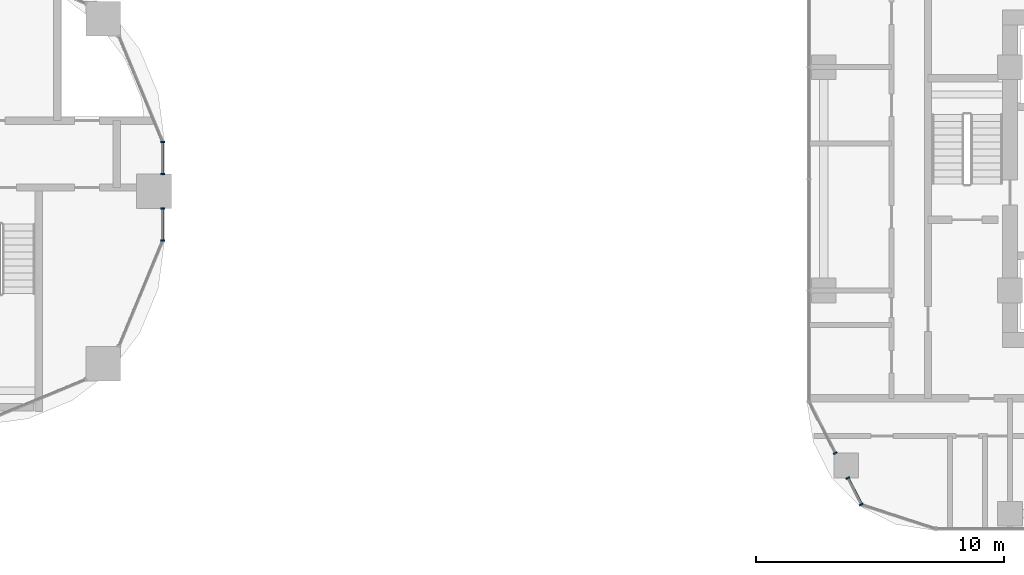
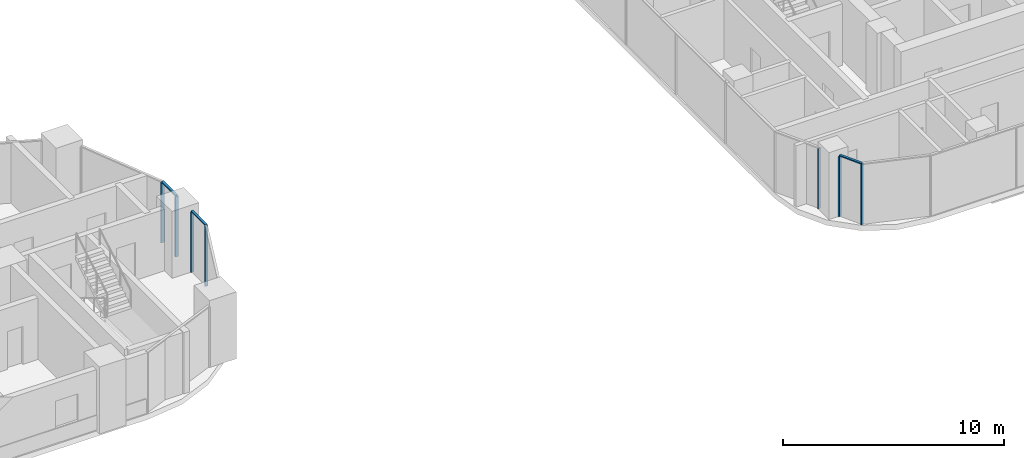
# One storey, part 7 of 31: 10 members, 4 elements without a shape of their own.
"""IFC4 building model written with IfcOpenShell, lengths in metres."""

from ifc_helpers import new_model, si_unit, direction, frame, origin, origin_2d, place, context, subcontext, project, spatial, rectangle, extrude, material, material_profile, profile_set, type_object, element, aggregate, save


model = new_model("IFC4")

# Units and contexts
model_context = context("Model", 3, precision=1e-05, world=origin(), true_north=direction((0.0, 1.0)))
body_context = subcontext(model_context, "Body", "Model", "MODEL_VIEW")
ifc_project = project(units=[si_unit("LENGTHUNIT", "METRE"), si_unit("AREAUNIT", "SQUARE_METRE"), si_unit("VOLUMEUNIT", "CUBIC_METRE"), si_unit("PLANEANGLEUNIT", "RADIAN"), si_unit("MASSUNIT", "GRAM", prefix="KILO")], contexts=[model_context])

# Site, building, storey
site_placement = place(None, origin())
site = spatial("IfcSite", under=ifc_project, at=site_placement, CompositionType="ELEMENT")
building_placement = place(site_placement, origin())
building = spatial("IfcBuilding", under=site, at=building_placement, Name="Ogive Portal Towers", CompositionType="ELEMENT")
storey_placement = place(building_placement, frame((0.0, 0.0, 40.89990234375)))
storey = spatial("IfcBuildingStorey", under=building, at=storey_placement, Name="L08", CompositionType="ELEMENT", Elevation=40.89990234375)

# Curtain wall, members
ifc_material_1 = material(Name="Glass, clear low-iron insulated glazing", Category="glass")
curtain_wall_type_1 = type_object("IfcCurtainWallType", Name="CW FRONT RIBBON 4500", PredefinedType="NOTDEFINED", material=ifc_material_1)
curtain_wall_1_placement = place(storey_placement, origin())
curtain_wall_1 = element("IfcCurtainWall", 1, at=curtain_wall_1_placement, inside=storey, type_object=curtain_wall_type_1, Name="A:L08:f24:cw0~0", PredefinedType="NOTDEFINED")
ifc_material_2 = material(Name="Aluminium 6063 anodised", Category="aluminium")
ifc_material_profile_1 = material_profile(ifc_material_2, rectangle(XDim=0.159912109375, YDim=0.06005859375, at=origin_2d()), Name="AL 60x160")
ifc_profile_set_1 = profile_set([ifc_material_profile_1], Name="Aluminium 6063 anodised")
member_type_1 = type_object("IfcMemberType", Name="CW MULLION 60x160", PredefinedType="MULLION", material=ifc_profile_set_1)
member_1_placement = place(storey_placement, frame((94.844970703125, 28.515869140625, 0.0), z_axis=(0.0, 0.0, 1.0), x_axis=(-1.0, 0.0, 0.0)))
member_1 = element("IfcMember", 2, at=member_1_placement, type_object=member_type_1, Name="mullion", PredefinedType="MULLION", context=body_context, shape_type="SweptSolid", body=[
    extrude(rectangle(XDim=0.159912109375, YDim=0.06005859375, at=origin_2d()), origin(), (0.0, 0.0, 1.0), 3.340087890625),
])
member_2_placement = place(storey_placement, frame((94.844970703125, 29.800048828125, 0.0), z_axis=(0.0, 0.0, 1.0), x_axis=(-1.0, 0.0, 0.0)))
member_2 = element("IfcMember", 3, at=member_2_placement, type_object=member_type_1, Name="mullion", PredefinedType="MULLION", context=body_context, shape_type="SweptSolid", body=[
    extrude(rectangle(XDim=0.159912109375, YDim=0.06005859375, at=origin_2d()), origin(), (0.0, 0.0, 1.0), 3.340087890625),
])

curtain_wall_2_placement = place(storey_placement, origin())
curtain_wall_2 = element("IfcCurtainWall", 4, at=curtain_wall_2_placement, inside=storey, type_object=curtain_wall_type_1, Name="A:L08:f24:cw0~1", PredefinedType="NOTDEFINED")
member_3_placement = place(storey_placement, frame((94.844970703125, 31.199951171875, 0.0), z_axis=(0.0, 0.0, 1.0), x_axis=(-1.0, 0.0, 0.0)))
member_3 = element("IfcMember", 5, at=member_3_placement, type_object=member_type_1, Name="mullion", PredefinedType="MULLION", context=body_context, shape_type="SweptSolid", body=[
    extrude(rectangle(XDim=0.159912109375, YDim=0.06005859375, at=origin_2d()), origin(), (0.0, 0.0, 1.0), 3.340087890625),
])
member_4_placement = place(storey_placement, frame((94.844970703125, 32.484130859375, 0.0), z_axis=(0.0, 0.0, 1.0), x_axis=(-1.0, 0.0, 0.0)))
member_4 = element("IfcMember", 6, at=member_4_placement, type_object=member_type_1, Name="mullion", PredefinedType="MULLION", context=body_context, shape_type="SweptSolid", body=[
    extrude(rectangle(XDim=0.159912109375, YDim=0.06005859375, at=origin_2d()), origin(), (0.0, 0.0, 1.0), 3.340087890625),
])

# Curtain wall, member
curtain_wall_type_2 = type_object("IfcCurtainWallType", Name="CW RESIDENCES RIBBON", PredefinedType="NOTDEFINED", material=ifc_material_1)
curtain_wall_3_placement = place(storey_placement, origin())
curtain_wall_3 = element("IfcCurtainWall", 7, at=curtain_wall_3_placement, inside=storey, type_object=curtain_wall_type_2, Name="B:L08:f00:cwa~0", PredefinedType="NOTDEFINED")
member_5_placement = place(storey_placement, frame((121.95849609375, 19.94189453125, 0.0), z_axis=(0.0, 0.0, 1.0), x_axis=(0.891006524188, 0.45399049974, 0.0)))
member_5 = element("IfcMember", 8, at=member_5_placement, type_object=member_type_1, Name="mullion", PredefinedType="MULLION", context=body_context, shape_type="SweptSolid", body=[
    extrude(rectangle(XDim=0.159912109375, YDim=0.06005859375, at=origin_2d()), origin(), (0.0, 0.0, 1.0), 3.340087890625),
])
aggregate(curtain_wall_3, [member_5])

# Curtain wall, members
curtain_wall_4_placement = place(storey_placement, origin())
curtain_wall_4 = element("IfcCurtainWall", 9, at=curtain_wall_4_placement, inside=storey, type_object=curtain_wall_type_2, Name="B:L08:f00:cwa~1", PredefinedType="NOTDEFINED")
member_6_placement = place(storey_placement, frame((122.468017578125, 18.94189453125, 0.0), z_axis=(0.0, 0.0, 1.0), x_axis=(0.891006524188, 0.45399049974, 0.0)))
member_6 = element("IfcMember", 10, at=member_6_placement, type_object=member_type_1, Name="mullion", PredefinedType="MULLION", context=body_context, shape_type="SweptSolid", body=[
    extrude(rectangle(XDim=0.159912109375, YDim=0.06005859375, at=origin_2d()), origin(), (0.0, 0.0, 1.0), 3.340087890625),
])
member_7_placement = place(storey_placement, frame((123.011474609375, 17.875244140625, 0.0), z_axis=(0.0, 0.0, 1.0), x_axis=(0.891006524188, 0.45399049974, 0.0)))
member_7 = element("IfcMember", 11, at=member_7_placement, type_object=member_type_1, Name="mullion", PredefinedType="MULLION", context=body_context, shape_type="SweptSolid", body=[
    extrude(rectangle(XDim=0.159912109375, YDim=0.06005859375, at=origin_2d()), origin(), (0.0, 0.0, 1.0), 3.340087890625),
])

# Member
ifc_material_profile_2 = material_profile(ifc_material_2, rectangle(XDim=0.1201171875, YDim=0.06005859375, at=origin_2d()), Name="AL 120x60")
ifc_profile_set_2 = profile_set([ifc_material_profile_2], Name="Aluminium 6063 anodised")
member_type_2 = type_object("IfcMemberType", Name="CW TRANSOM 60x120", PredefinedType="USERDEFINED", material=ifc_profile_set_2)
member_8_placement = place(storey_placement, frame((94.844970703125, 28.515869140625, 3.3701171875), z_axis=(0.0, 1.0, 0.0), x_axis=(-1.0, 0.0, 0.0)))
member_8 = element("IfcMember", 12, at=member_8_placement, type_object=member_type_2, Name="transom", ObjectType="TRANSOM", PredefinedType="USERDEFINED", context=body_context, shape_type="SweptSolid", body=[
    extrude(rectangle(XDim=0.1201171875, YDim=0.06005859375, at=origin_2d()), origin(), (0.0, 0.0, 1.0), 1.2841796875),
])

aggregate(curtain_wall_1, [member_8, member_1, member_2])

member_9_placement = place(storey_placement, frame((94.844970703125, 31.199951171875, 3.3701171875), z_axis=(0.0, 1.0, 0.0), x_axis=(-1.0, 0.0, 0.0)))
member_9 = element("IfcMember", 13, at=member_9_placement, type_object=member_type_2, Name="transom", ObjectType="TRANSOM", PredefinedType="USERDEFINED", context=body_context, shape_type="SweptSolid", body=[
    extrude(rectangle(XDim=0.1201171875, YDim=0.06005859375, at=origin_2d()), origin(), (0.0, 0.0, 1.0), 1.2841796875),
])

aggregate(curtain_wall_2, [member_9, member_3, member_4])

member_10_placement = place(storey_placement, frame((122.468017578125, 18.94189453125, 3.3701171875), z_axis=(0.453971606911, -0.891016150313, 0.0), x_axis=(0.891016150313, 0.453971606911, 0.0)))
member_10 = element("IfcMember", 14, at=member_10_placement, type_object=member_type_2, Name="transom", ObjectType="TRANSOM", PredefinedType="USERDEFINED", context=body_context, shape_type="SweptSolid", body=[
    extrude(rectangle(XDim=0.1201171875, YDim=0.06005859375, at=origin_2d()), origin(), (0.0, 0.0, 1.0), 1.197021484375),
])

aggregate(curtain_wall_4, [member_10, member_6, member_7])

save(model, "model.ifc")
